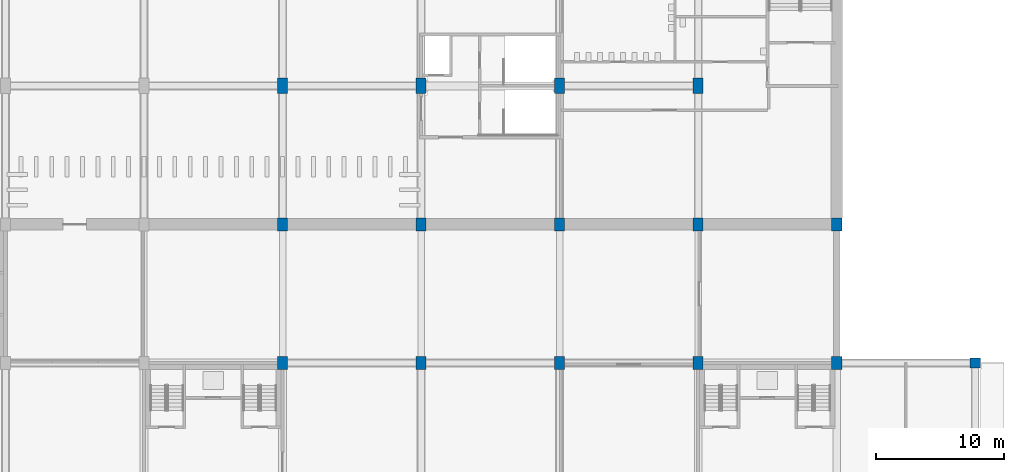
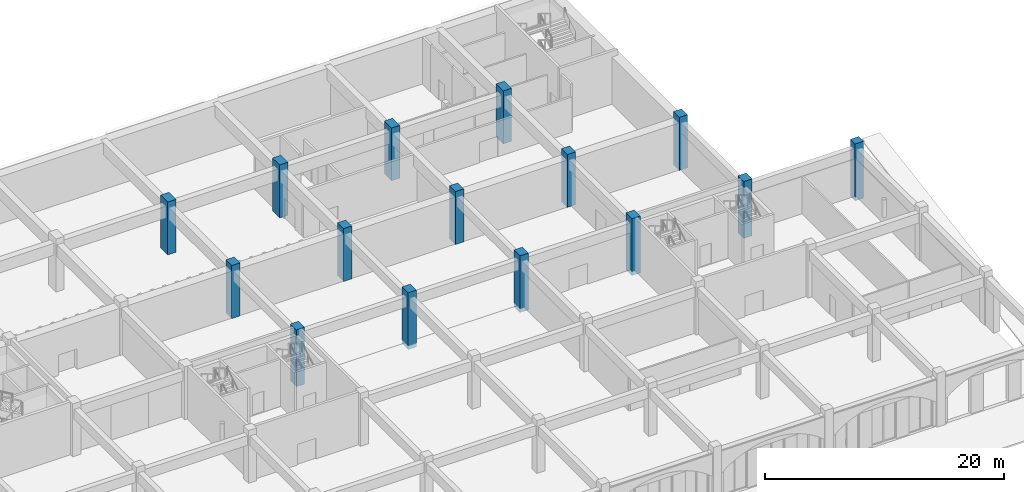
# One storey, part 8 of 101: 15 columns.
"""IFC4 building model written with IfcOpenShell, lengths in metres."""

from ifc_helpers import new_model, si_unit, direction, frame, origin, origin_2d, place, context, subcontext, project, spatial, rectangle, extrude, material, material_profile, profile_set, type_object, element, save


model = new_model("IFC4")

# Units and contexts
model_context = context("Model", 3, precision=1e-05, world=origin(), true_north=direction((0.0, 1.0)))
body_context = subcontext(model_context, "Body", "Model", "MODEL_VIEW")
ifc_project = project(units=[si_unit("LENGTHUNIT", "METRE"), si_unit("AREAUNIT", "SQUARE_METRE"), si_unit("VOLUMEUNIT", "CUBIC_METRE"), si_unit("PLANEANGLEUNIT", "RADIAN"), si_unit("MASSUNIT", "GRAM", prefix="KILO")], contexts=[model_context])

# Site, building, storey
site_placement = place(None, origin())
site = spatial("IfcSite", under=ifc_project, at=site_placement, CompositionType="ELEMENT")
building_placement = place(site_placement, origin())
building = spatial("IfcBuilding", under=site, at=building_placement, Name="Magnolia Steps Interchange", CompositionType="ELEMENT")
storey_placement = place(building_placement, frame((0.0, 0.0, -5.39990234375)))
storey = spatial("IfcBuildingStorey", under=building, at=storey_placement, Name="B1", CompositionType="ELEMENT", Elevation=-5.39990234375)

# Columns
ifc_material_1 = material(Name="Concrete C40", Category="concrete")
ifc_material_profile_1 = material_profile(ifc_material_1, rectangle(XDim=0.800048828125, YDim=1.0, at=origin_2d()), Name="RC800x1000")
ifc_profile_set_1 = profile_set([ifc_material_profile_1], Name="Concrete C40")
column_type_1 = type_object("IfcColumnType", Name="RC column 800x1000", PredefinedType="COLUMN", material=ifc_profile_set_1)
column_1_placement = place(storey_placement, frame((139.60009765625, 42.39990234375, -0.400146484375), z_axis=(0.0, 0.0, 1.0), x_axis=(1.0, 0.0, 0.0)))
element("IfcColumn", 1, at=column_1_placement, inside=storey, type_object=column_type_1, Name="Column CON-13D B1", PredefinedType="COLUMN", context=body_context, shape_type="SweptSolid", body=[
    extrude(rectangle(XDim=0.800048828125, YDim=1.0, at=origin_2d()), origin(), (0.0, 0.0, 1.0), 5.800048828125),
])
column_2_placement = place(storey_placement, frame((139.60009765625, 53.199951171875, 0.0), z_axis=(0.0, 0.0, 1.0), x_axis=(1.0, 0.0, 0.0)))
element("IfcColumn", 2, at=column_2_placement, inside=storey, type_object=column_type_1, Name="Column CON-13E B1", PredefinedType="COLUMN", context=body_context, shape_type="SweptSolid", body=[
    extrude(rectangle(XDim=0.800048828125, YDim=1.0, at=origin_2d()), origin(), (0.0, 0.0, 1.0), 5.39990234375),
])
column_3_placement = place(storey_placement, frame((150.39990234375, 42.39990234375, -0.400146484375), z_axis=(0.0, 0.0, 1.0), x_axis=(1.0, 0.0, 0.0)))
element("IfcColumn", 3, at=column_3_placement, inside=storey, type_object=column_type_1, Name="Column CON-14D B1", PredefinedType="COLUMN", context=body_context, shape_type="SweptSolid", body=[
    extrude(rectangle(XDim=0.800048828125, YDim=1.0, at=origin_2d()), origin(), (0.0, 0.0, 1.0), 5.800048828125),
])
column_4_placement = place(storey_placement, frame((150.39990234375, 53.199951171875, 0.0), z_axis=(0.0, 0.0, 1.0), x_axis=(1.0, 0.0, 0.0)))
element("IfcColumn", 4, at=column_4_placement, inside=storey, type_object=column_type_1, Name="Column CON-14E B1", PredefinedType="COLUMN", context=body_context, shape_type="SweptSolid", body=[
    extrude(rectangle(XDim=0.800048828125, YDim=1.0, at=origin_2d()), origin(), (0.0, 0.0, 1.0), 5.39990234375),
])
column_5_placement = place(storey_placement, frame((161.199951171875, 42.39990234375, -0.400146484375), z_axis=(0.0, 0.0, 1.0), x_axis=(1.0, 0.0, 0.0)))
element("IfcColumn", 5, at=column_5_placement, inside=storey, type_object=column_type_1, Name="Column CON-15D B1", PredefinedType="COLUMN", context=body_context, shape_type="SweptSolid", body=[
    extrude(rectangle(XDim=0.800048828125, YDim=1.0, at=origin_2d()), origin(), (0.0, 0.0, 1.0), 5.800048828125),
])
column_6_placement = place(storey_placement, frame((161.199951171875, 53.199951171875, 0.0), z_axis=(0.0, 0.0, 1.0), x_axis=(1.0, 0.0, 0.0)))
element("IfcColumn", 6, at=column_6_placement, inside=storey, type_object=column_type_1, Name="Column CON-15E B1", PredefinedType="COLUMN", context=body_context, shape_type="SweptSolid", body=[
    extrude(rectangle(XDim=0.800048828125, YDim=1.0, at=origin_2d()), origin(), (0.0, 0.0, 1.0), 5.39990234375),
])
column_7_placement = place(storey_placement, frame((172.0, 42.39990234375, -0.400146484375), z_axis=(0.0, 0.0, 1.0), x_axis=(1.0, 0.0, 0.0)))
element("IfcColumn", 7, at=column_7_placement, inside=storey, type_object=column_type_1, Name="Column CON-16D B1", PredefinedType="COLUMN", context=body_context, shape_type="SweptSolid", body=[
    extrude(rectangle(XDim=0.800048828125, YDim=1.0, at=origin_2d()), origin(), (0.0, 0.0, 1.0), 5.800048828125),
])
column_8_placement = place(storey_placement, frame((172.0, 53.199951171875, 0.0), z_axis=(0.0, 0.0, 1.0), x_axis=(1.0, 0.0, 0.0)))
element("IfcColumn", 8, at=column_8_placement, inside=storey, type_object=column_type_1, Name="Column CON-16E B1", PredefinedType="COLUMN", context=body_context, shape_type="SweptSolid", body=[
    extrude(rectangle(XDim=0.800048828125, YDim=1.0, at=origin_2d()), origin(), (0.0, 0.0, 1.0), 5.39990234375),
])
column_9_placement = place(storey_placement, frame((182.800048828125, 42.39990234375, -0.400146484375), z_axis=(0.0, 0.0, 1.0), x_axis=(1.0, 0.0, 0.0)))
element("IfcColumn", 9, at=column_9_placement, inside=storey, type_object=column_type_1, Name="Column CON-17D B1", PredefinedType="COLUMN", context=body_context, shape_type="SweptSolid", body=[
    extrude(rectangle(XDim=0.800048828125, YDim=1.0, at=origin_2d()), origin(), (0.0, 0.0, 1.0), 5.800048828125),
])
column_10_placement = place(storey_placement, frame((182.800048828125, 53.199951171875, 0.0), z_axis=(0.0, 0.0, 1.0), x_axis=(1.0, 0.0, 0.0)))
element("IfcColumn", 10, at=column_10_placement, inside=storey, type_object=column_type_1, Name="Column CON-17E B1", PredefinedType="COLUMN", context=body_context, shape_type="SweptSolid", body=[
    extrude(rectangle(XDim=0.800048828125, YDim=1.0, at=origin_2d()), origin(), (0.0, 0.0, 1.0), 5.39990234375),
])
ifc_material_2 = material(Name="Concrete C40", Category="concrete")
ifc_material_profile_2 = material_profile(ifc_material_2, rectangle(XDim=0.800048828125, YDim=1.199951171875, at=origin_2d()), Name="RC800x1200")
ifc_profile_set_2 = profile_set([ifc_material_profile_2], Name="Concrete C40")
column_type_2 = type_object("IfcColumnType", Name="RC column 800x1200", PredefinedType="COLUMN", material=ifc_profile_set_2)
for number, where, z_axis, x_axis, name in (
    (11, (139.60009765625, 64.0, 0.0), (0.0, 0.0, 1.0), (1.0, 0.0, 0.0), "Column MET-13F B1"),
    (12, (150.39990234375, 64.0, 0.0), (0.0, 0.0, 1.0), (1.0, 0.0, 0.0), "Column MET-14F B1"),
    (13, (161.199951171875, 64.0, 0.0), (0.0, 0.0, 1.0), (1.0, 0.0, 0.0), "Column MET-15F B1"),
    (14, (172.0, 64.0, 0.0), (0.0, 0.0, 1.0), (1.0, 0.0, 0.0), "Column MET-16F B1"),
):
    element("IfcColumn", number, at=place(storey_placement, frame(where, z_axis=z_axis, x_axis=x_axis)), inside=storey, type_object=column_type_2, Name=name, PredefinedType="COLUMN", context=body_context, shape_type="SweptSolid", body=[
        extrude(rectangle(XDim=0.800048828125, YDim=1.199951171875, at=origin_2d()), origin(), (0.0, 0.0, 1.0), 5.39990234375),
    ])
ifc_material_3 = material(Name="Concrete C40", Category="concrete")
ifc_material_profile_3 = material_profile(ifc_material_3, rectangle(XDim=0.800048828125, YDim=0.800048828125, at=origin_2d()), Name="RC800x800")
ifc_profile_set_3 = profile_set([ifc_material_profile_3], Name="Concrete C40")
column_type_3 = type_object("IfcColumnType", Name="RC column 800x800", PredefinedType="COLUMN", material=ifc_profile_set_3)
column_11_placement = place(storey_placement, frame((193.60009765625, 42.39990234375, -0.400146484375), z_axis=(0.0, 0.0, 1.0), x_axis=(1.0, 0.0, 0.0)))
element("IfcColumn", 15, at=column_11_placement, inside=storey, type_object=column_type_3, Name="Column COV-18D B1", PredefinedType="COLUMN", context=body_context, shape_type="SweptSolid", body=[
    extrude(rectangle(XDim=0.800048828125, YDim=0.800048828125, at=origin_2d()), origin(), (0.0, 0.0, 1.0), 5.800048828125),
])

save(model, "model.ifc")
